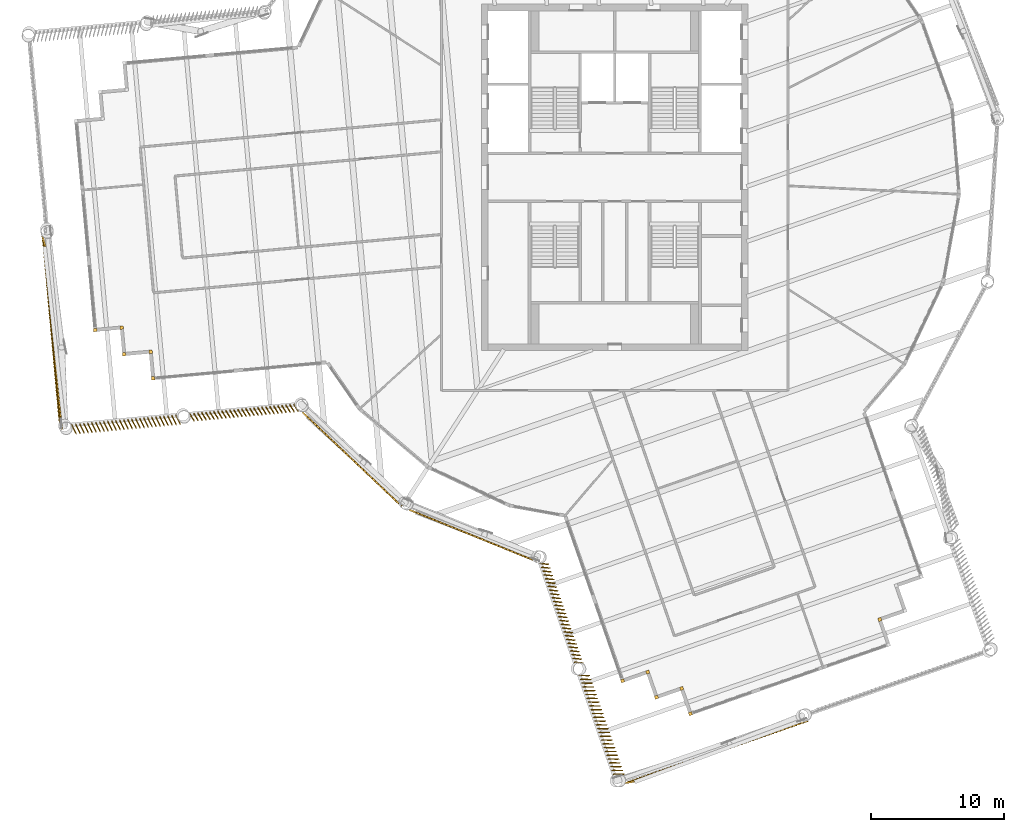
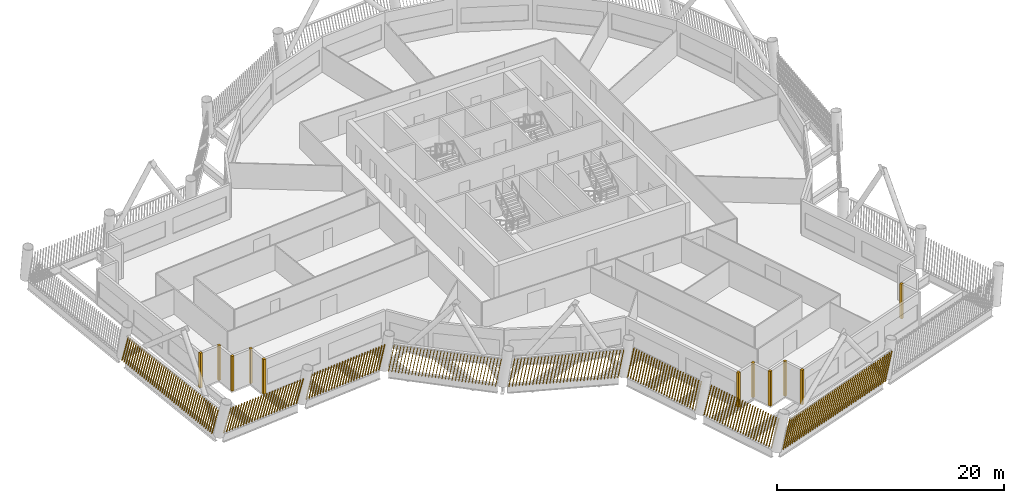
# One storey, part 19 of 23: 19 shading devices.
"""IFC4 building model written with IfcOpenShell, lengths in metres."""

from ifc_helpers import new_model, si_unit, direction, frame, frame_2d, origin, origin_2d, place, context, subcontext, project, spatial, rectangle, composite_profile, extrude, material, type_object, element, save


model = new_model("IFC4")

# Units and contexts
model_context = context("Model", 3, precision=1e-05, world=origin(), true_north=direction((0.0, 1.0)))
body_context = subcontext(model_context, "Body", "Model", "MODEL_VIEW")
ifc_project = project(units=[si_unit("LENGTHUNIT", "METRE"), si_unit("AREAUNIT", "SQUARE_METRE"), si_unit("VOLUMEUNIT", "CUBIC_METRE"), si_unit("PLANEANGLEUNIT", "RADIAN"), si_unit("MASSUNIT", "GRAM", prefix="KILO")], contexts=[model_context])

# Site, building, storey
site_placement = place(None, origin())
site = spatial("IfcSite", under=ifc_project, at=site_placement, CompositionType="ELEMENT")
building_placement = place(site_placement, origin())
building = spatial("IfcBuilding", under=site, at=building_placement, Name="Tarsis Ring Headquarters", CompositionType="ELEMENT")
storey_placement = place(building_placement, frame((0.0, 0.0, 308.0)))
storey = spatial("IfcBuildingStorey", under=building, at=storey_placement, Name="L72", CompositionType="ELEMENT", Elevation=308.0)

# Shading devices
ifc_material = material(Name="Terracotta baguette", Category="masonry")
shading_device_type_1 = type_object("IfcShadingDeviceType", Name="Terracotta baguette screen", PredefinedType="USERDEFINED", material=ifc_material)
shading_device_1_placement = place(storey_placement, frame((-15.413818359375, -24.952880859375, 0.0), z_axis=(0.0, 0.0, 1.0), x_axis=(0.926420986883, -0.376464709557, 0.0)))
element("IfcShadingDevice", 1, at=shading_device_1_placement, inside=storey, type_object=shading_device_type_1, Name="Baguette screen L72-00", ObjectType="Terracotta baguette screen", PredefinedType="USERDEFINED", context=body_context, shape_type="SweptSolid", body=[
    extrude(composite_profile([rectangle(XDim=0.06005859375, YDim=0.1201171875, at=frame_2d((0.030029296875, 0.0))), rectangle(XDim=0.06005859375, YDim=0.1201171875, at=frame_2d((0.33349609375, 0.0))), rectangle(XDim=0.06005859375, YDim=0.1201171875, at=frame_2d((0.636962890625, 0.0))), rectangle(XDim=0.06005859375, YDim=0.1201171875, at=frame_2d((0.9404296875, 0.0))), rectangle(XDim=0.06005859375, YDim=0.1201171875, at=frame_2d((1.243896484375, 0.0))), rectangle(XDim=0.06005859375, YDim=0.1201171875, at=frame_2d((1.54736328125, 0.0))), rectangle(XDim=0.06005859375, YDim=0.1201171875, at=frame_2d((1.85107421875, 0.0))), rectangle(XDim=0.06005859375, YDim=0.1201171875, at=frame_2d((2.154541015625, 0.0))), rectangle(XDim=0.06005859375, YDim=0.1201171875, at=frame_2d((2.4580078125, 0.0))), rectangle(XDim=0.06005859375, YDim=0.1201171875, at=frame_2d((2.761474609375, 0.0))), rectangle(XDim=0.06005859375, YDim=0.1201171875, at=frame_2d((3.06494140625, 0.0))), rectangle(XDim=0.06005859375, YDim=0.1201171875, at=frame_2d((3.368408203125, 0.0))), rectangle(XDim=0.06005859375, YDim=0.1201171875, at=frame_2d((3.671875, 0.0))), rectangle(XDim=0.06005859375, YDim=0.1201171875, at=frame_2d((3.975341796875, 0.0))), rectangle(XDim=0.06005859375, YDim=0.1201171875, at=frame_2d((4.27880859375, 0.0))), rectangle(XDim=0.06005859375, YDim=0.1201171875, at=frame_2d((4.582275390625, 0.0))), rectangle(XDim=0.06005859375, YDim=0.1201171875, at=frame_2d((4.8857421875, 0.0))), rectangle(XDim=0.06005859375, YDim=0.1201171875, at=frame_2d((5.189453125, 0.0))), rectangle(XDim=0.06005859375, YDim=0.1201171875, at=frame_2d((5.492919921875, 0.0))), rectangle(XDim=0.06005859375, YDim=0.1201171875, at=frame_2d((5.79638671875, 0.0))), rectangle(XDim=0.06005859375, YDim=0.1201171875, at=frame_2d((6.099853515625, 0.0))), rectangle(XDim=0.06005859375, YDim=0.1201171875, at=frame_2d((6.4033203125, 0.0))), rectangle(XDim=0.06005859375, YDim=0.1201171875, at=frame_2d((6.706787109375, 0.0))), rectangle(XDim=0.06005859375, YDim=0.1201171875, at=frame_2d((7.01025390625, 0.0))), rectangle(XDim=0.06005859375, YDim=0.1201171875, at=frame_2d((7.313720703125, 0.0))), rectangle(XDim=0.06005859375, YDim=0.1201171875, at=frame_2d((7.6171875, 0.0))), rectangle(XDim=0.06005859375, YDim=0.1201171875, at=frame_2d((7.920654296875, 0.0))), rectangle(XDim=0.06005859375, YDim=0.1201171875, at=frame_2d((8.224365234375, 0.0))), rectangle(XDim=0.06005859375, YDim=0.1201171875, at=frame_2d((8.52783203125, 0.0))), rectangle(XDim=0.06005859375, YDim=0.1201171875, at=frame_2d((8.831298828125, 0.0))), rectangle(XDim=0.06005859375, YDim=0.1201171875, at=frame_2d((9.134765625, 0.0))), rectangle(XDim=0.06005859375, YDim=0.1201171875, at=frame_2d((9.438232421875, 0.0))), rectangle(XDim=0.06005859375, YDim=0.1201171875, at=frame_2d((9.74169921875, 0.0)))]), origin(), (0.174164288103, 0.001580922535, 0.984715340306), 3.013916015625),
])
shading_device_2_placement = place(storey_placement, frame((-5.592041015625, -28.944580078125, 0.0), z_axis=(0.0, 0.0, 1.0), x_axis=(0.328853461859, -0.944387802391, 0.0)))
element("IfcShadingDevice", 2, at=shading_device_2_placement, inside=storey, type_object=shading_device_type_1, Name="Baguette screen L72-01", ObjectType="Terracotta baguette screen", PredefinedType="USERDEFINED", context=body_context, shape_type="SweptSolid", body=[
    extrude(composite_profile([rectangle(XDim=0.06005859375, YDim=0.1201171875, at=frame_2d((0.030029296875, 0.0))), rectangle(XDim=0.06005859375, YDim=0.1201171875, at=frame_2d((0.33154296875, 0.0))), rectangle(XDim=0.06005859375, YDim=0.1201171875, at=frame_2d((0.63330078125, 0.0))), rectangle(XDim=0.06005859375, YDim=0.1201171875, at=frame_2d((0.934814453125, 0.0))), rectangle(XDim=0.06005859375, YDim=0.1201171875, at=frame_2d((1.236572265625, 0.0))), rectangle(XDim=0.06005859375, YDim=0.1201171875, at=frame_2d((1.5380859375, 0.0))), rectangle(XDim=0.06005859375, YDim=0.1201171875, at=frame_2d((1.83984375, 0.0))), rectangle(XDim=0.06005859375, YDim=0.1201171875, at=frame_2d((2.141357421875, 0.0))), rectangle(XDim=0.06005859375, YDim=0.1201171875, at=frame_2d((2.443115234375, 0.0))), rectangle(XDim=0.06005859375, YDim=0.1201171875, at=frame_2d((2.74462890625, 0.0))), rectangle(XDim=0.06005859375, YDim=0.1201171875, at=frame_2d((3.04638671875, 0.0))), rectangle(XDim=0.06005859375, YDim=0.1201171875, at=frame_2d((3.347900390625, 0.0))), rectangle(XDim=0.06005859375, YDim=0.1201171875, at=frame_2d((3.649658203125, 0.0))), rectangle(XDim=0.06005859375, YDim=0.1201171875, at=frame_2d((3.951171875, 0.0))), rectangle(XDim=0.06005859375, YDim=0.1201171875, at=frame_2d((4.252685546875, 0.0))), rectangle(XDim=0.06005859375, YDim=0.1201171875, at=frame_2d((4.554443359375, 0.0))), rectangle(XDim=0.06005859375, YDim=0.1201171875, at=frame_2d((4.85595703125, 0.0))), rectangle(XDim=0.06005859375, YDim=0.1201171875, at=frame_2d((5.15771484375, 0.0))), rectangle(XDim=0.06005859375, YDim=0.1201171875, at=frame_2d((5.459228515625, 0.0))), rectangle(XDim=0.06005859375, YDim=0.1201171875, at=frame_2d((5.760986328125, 0.0))), rectangle(XDim=0.06005859375, YDim=0.1201171875, at=frame_2d((6.0625, 0.0))), rectangle(XDim=0.06005859375, YDim=0.1201171875, at=frame_2d((6.3642578125, 0.0))), rectangle(XDim=0.06005859375, YDim=0.1201171875, at=frame_2d((6.665771484375, 0.0))), rectangle(XDim=0.06005859375, YDim=0.1201171875, at=frame_2d((6.967529296875, 0.0))), rectangle(XDim=0.06005859375, YDim=0.1201171875, at=frame_2d((7.26904296875, 0.0))), rectangle(XDim=0.06005859375, YDim=0.1201171875, at=frame_2d((7.57080078125, 0.0))), rectangle(XDim=0.06005859375, YDim=0.1201171875, at=frame_2d((7.872314453125, 0.0)))]), origin(), (0.087125487358, 0.177348271123, 0.980284009959), 3.02734375),
])
shading_device_3_placement = place(storey_placement, frame((-2.66455078125, -37.3515625, 0.0), z_axis=(0.0, 0.0, 1.0), x_axis=(0.328874196738, -0.944389520514, 0.0)))
element("IfcShadingDevice", 3, at=shading_device_3_placement, inside=storey, type_object=shading_device_type_1, Name="Baguette screen L72-02", ObjectType="Terracotta baguette screen", PredefinedType="USERDEFINED", context=body_context, shape_type="SweptSolid", body=[
    extrude(composite_profile([rectangle(XDim=0.06005859375, YDim=0.1201171875, at=frame_2d((0.030029296875, 0.0))), rectangle(XDim=0.06005859375, YDim=0.1201171875, at=frame_2d((0.33154296875, 0.0))), rectangle(XDim=0.06005859375, YDim=0.1201171875, at=frame_2d((0.63330078125, 0.0))), rectangle(XDim=0.06005859375, YDim=0.1201171875, at=frame_2d((0.934814453125, 0.0))), rectangle(XDim=0.06005859375, YDim=0.1201171875, at=frame_2d((1.236572265625, 0.0))), rectangle(XDim=0.06005859375, YDim=0.1201171875, at=frame_2d((1.5380859375, 0.0))), rectangle(XDim=0.06005859375, YDim=0.1201171875, at=frame_2d((1.83984375, 0.0))), rectangle(XDim=0.06005859375, YDim=0.1201171875, at=frame_2d((2.141357421875, 0.0))), rectangle(XDim=0.06005859375, YDim=0.1201171875, at=frame_2d((2.443115234375, 0.0))), rectangle(XDim=0.06005859375, YDim=0.1201171875, at=frame_2d((2.74462890625, 0.0))), rectangle(XDim=0.06005859375, YDim=0.1201171875, at=frame_2d((3.04638671875, 0.0))), rectangle(XDim=0.06005859375, YDim=0.1201171875, at=frame_2d((3.347900390625, 0.0))), rectangle(XDim=0.06005859375, YDim=0.1201171875, at=frame_2d((3.649658203125, 0.0))), rectangle(XDim=0.06005859375, YDim=0.1201171875, at=frame_2d((3.951171875, 0.0))), rectangle(XDim=0.06005859375, YDim=0.1201171875, at=frame_2d((4.252685546875, 0.0))), rectangle(XDim=0.06005859375, YDim=0.1201171875, at=frame_2d((4.554443359375, 0.0))), rectangle(XDim=0.06005859375, YDim=0.1201171875, at=frame_2d((4.85595703125, 0.0))), rectangle(XDim=0.06005859375, YDim=0.1201171875, at=frame_2d((5.15771484375, 0.0))), rectangle(XDim=0.06005859375, YDim=0.1201171875, at=frame_2d((5.459228515625, 0.0))), rectangle(XDim=0.06005859375, YDim=0.1201171875, at=frame_2d((5.760986328125, 0.0))), rectangle(XDim=0.06005859375, YDim=0.1201171875, at=frame_2d((6.0625, 0.0))), rectangle(XDim=0.06005859375, YDim=0.1201171875, at=frame_2d((6.3642578125, 0.0))), rectangle(XDim=0.06005859375, YDim=0.1201171875, at=frame_2d((6.665771484375, 0.0))), rectangle(XDim=0.06005859375, YDim=0.1201171875, at=frame_2d((6.967529296875, 0.0))), rectangle(XDim=0.06005859375, YDim=0.1201171875, at=frame_2d((7.26904296875, 0.0))), rectangle(XDim=0.06005859375, YDim=0.1201171875, at=frame_2d((7.57080078125, 0.0))), rectangle(XDim=0.06005859375, YDim=0.1201171875, at=frame_2d((7.872314453125, 0.0)))]), origin(), (0.085720079965, 0.228257258424, 0.969819927547), 3.06005859375),
])
shading_device_4_placement = place(storey_placement, frame((0.6943359375, -45.476318359375, 0.0), z_axis=(0.0, 0.0, 1.0), x_axis=(0.944377609511, 0.328869152926, 0.0)))
element("IfcShadingDevice", 4, at=shading_device_4_placement, inside=storey, type_object=shading_device_type_1, Name="Baguette screen L72-03", ObjectType="Terracotta baguette screen", PredefinedType="USERDEFINED", context=body_context, shape_type="SweptSolid", body=[
    extrude(composite_profile([rectangle(XDim=0.06005859375, YDim=0.1201171875, at=frame_2d((0.030029296875, 0.0))), rectangle(XDim=0.06005859375, YDim=0.1201171875, at=frame_2d((0.33544921875, 0.0))), rectangle(XDim=0.06005859375, YDim=0.1201171875, at=frame_2d((0.640625, 0.0))), rectangle(XDim=0.06005859375, YDim=0.1201171875, at=frame_2d((0.946044921875, 0.0))), rectangle(XDim=0.06005859375, YDim=0.1201171875, at=frame_2d((1.25146484375, 0.0))), rectangle(XDim=0.06005859375, YDim=0.1201171875, at=frame_2d((1.556640625, 0.0))), rectangle(XDim=0.06005859375, YDim=0.1201171875, at=frame_2d((1.862060546875, 0.0))), rectangle(XDim=0.06005859375, YDim=0.1201171875, at=frame_2d((2.16748046875, 0.0))), rectangle(XDim=0.06005859375, YDim=0.1201171875, at=frame_2d((2.47265625, 0.0))), rectangle(XDim=0.06005859375, YDim=0.1201171875, at=frame_2d((2.778076171875, 0.0))), rectangle(XDim=0.06005859375, YDim=0.1201171875, at=frame_2d((3.08349609375, 0.0))), rectangle(XDim=0.06005859375, YDim=0.1201171875, at=frame_2d((3.388671875, 0.0))), rectangle(XDim=0.06005859375, YDim=0.1201171875, at=frame_2d((3.694091796875, 0.0))), rectangle(XDim=0.06005859375, YDim=0.1201171875, at=frame_2d((3.99951171875, 0.0))), rectangle(XDim=0.06005859375, YDim=0.1201171875, at=frame_2d((4.3046875, 0.0))), rectangle(XDim=0.06005859375, YDim=0.1201171875, at=frame_2d((4.610107421875, 0.0))), rectangle(XDim=0.06005859375, YDim=0.1201171875, at=frame_2d((4.91552734375, 0.0))), rectangle(XDim=0.06005859375, YDim=0.1201171875, at=frame_2d((5.220703125, 0.0))), rectangle(XDim=0.06005859375, YDim=0.1201171875, at=frame_2d((5.526123046875, 0.0))), rectangle(XDim=0.06005859375, YDim=0.1201171875, at=frame_2d((5.83154296875, 0.0))), rectangle(XDim=0.06005859375, YDim=0.1201171875, at=frame_2d((6.13671875, 0.0))), rectangle(XDim=0.06005859375, YDim=0.1201171875, at=frame_2d((6.442138671875, 0.0))), rectangle(XDim=0.06005859375, YDim=0.1201171875, at=frame_2d((6.74755859375, 0.0))), rectangle(XDim=0.06005859375, YDim=0.1201171875, at=frame_2d((7.052734375, 0.0))), rectangle(XDim=0.06005859375, YDim=0.1201171875, at=frame_2d((7.358154296875, 0.0))), rectangle(XDim=0.06005859375, YDim=0.1201171875, at=frame_2d((7.66357421875, 0.0))), rectangle(XDim=0.06005859375, YDim=0.1201171875, at=frame_2d((7.96875, 0.0))), rectangle(XDim=0.06005859375, YDim=0.1201171875, at=frame_2d((8.274169921875, 0.0))), rectangle(XDim=0.06005859375, YDim=0.1201171875, at=frame_2d((8.57958984375, 0.0))), rectangle(XDim=0.06005859375, YDim=0.1201171875, at=frame_2d((8.884765625, 0.0))), rectangle(XDim=0.06005859375, YDim=0.1201171875, at=frame_2d((9.190185546875, 0.0))), rectangle(XDim=0.06005859375, YDim=0.1201171875, at=frame_2d((9.49560546875, 0.0))), rectangle(XDim=0.06005859375, YDim=0.1201171875, at=frame_2d((9.80078125, 0.0))), rectangle(XDim=0.06005859375, YDim=0.1201171875, at=frame_2d((10.106201171875, 0.0))), rectangle(XDim=0.06005859375, YDim=0.1201171875, at=frame_2d((10.41162109375, 0.0))), rectangle(XDim=0.06005859375, YDim=0.1201171875, at=frame_2d((10.716796875, 0.0))), rectangle(XDim=0.06005859375, YDim=0.1201171875, at=frame_2d((11.022216796875, 0.0))), rectangle(XDim=0.06005859375, YDim=0.1201171875, at=frame_2d((11.32763671875, 0.0))), rectangle(XDim=0.06005859375, YDim=0.1201171875, at=frame_2d((11.6328125, 0.0))), rectangle(XDim=0.06005859375, YDim=0.1201171875, at=frame_2d((11.938232421875, 0.0))), rectangle(XDim=0.06005859375, YDim=0.1201171875, at=frame_2d((12.24365234375, 0.0))), rectangle(XDim=0.06005859375, YDim=0.1201171875, at=frame_2d((12.548828125, 0.0))), rectangle(XDim=0.06005859375, YDim=0.1201171875, at=frame_2d((12.854248046875, 0.0))), rectangle(XDim=0.06005859375, YDim=0.1201171875, at=frame_2d((13.15966796875, 0.0))), rectangle(XDim=0.06005859375, YDim=0.1201171875, at=frame_2d((13.46484375, 0.0))), rectangle(XDim=0.06005859375, YDim=0.1201171875, at=frame_2d((13.770263671875, 0.0)))]), origin(), (0.255453567142, -0.041401232982, 0.965934476526), 3.072509765625),
])
shading_device_5_placement = place(storey_placement, frame((-42.951904296875, -4.410888671875, 0.0), z_axis=(0.0, 0.0, 1.0), x_axis=(0.090630860135, -0.995878003043, 0.0)))
element("IfcShadingDevice", 5, at=shading_device_5_placement, inside=storey, type_object=shading_device_type_1, Name="Baguette screen L72-18", ObjectType="Terracotta baguette screen", PredefinedType="USERDEFINED", context=body_context, shape_type="SweptSolid", body=[
    extrude(composite_profile([rectangle(XDim=0.06005859375, YDim=0.1201171875, at=frame_2d((0.030029296875, 0.0))), rectangle(XDim=0.06005859375, YDim=0.1201171875, at=frame_2d((0.33544921875, 0.0))), rectangle(XDim=0.06005859375, YDim=0.1201171875, at=frame_2d((0.640625, 0.0))), rectangle(XDim=0.06005859375, YDim=0.1201171875, at=frame_2d((0.946044921875, 0.0))), rectangle(XDim=0.06005859375, YDim=0.1201171875, at=frame_2d((1.25146484375, 0.0))), rectangle(XDim=0.06005859375, YDim=0.1201171875, at=frame_2d((1.556640625, 0.0))), rectangle(XDim=0.06005859375, YDim=0.1201171875, at=frame_2d((1.862060546875, 0.0))), rectangle(XDim=0.06005859375, YDim=0.1201171875, at=frame_2d((2.16748046875, 0.0))), rectangle(XDim=0.06005859375, YDim=0.1201171875, at=frame_2d((2.47265625, 0.0))), rectangle(XDim=0.06005859375, YDim=0.1201171875, at=frame_2d((2.778076171875, 0.0))), rectangle(XDim=0.06005859375, YDim=0.1201171875, at=frame_2d((3.08349609375, 0.0))), rectangle(XDim=0.06005859375, YDim=0.1201171875, at=frame_2d((3.388671875, 0.0))), rectangle(XDim=0.06005859375, YDim=0.1201171875, at=frame_2d((3.694091796875, 0.0))), rectangle(XDim=0.06005859375, YDim=0.1201171875, at=frame_2d((3.99951171875, 0.0))), rectangle(XDim=0.06005859375, YDim=0.1201171875, at=frame_2d((4.3046875, 0.0))), rectangle(XDim=0.06005859375, YDim=0.1201171875, at=frame_2d((4.610107421875, 0.0))), rectangle(XDim=0.06005859375, YDim=0.1201171875, at=frame_2d((4.91552734375, 0.0))), rectangle(XDim=0.06005859375, YDim=0.1201171875, at=frame_2d((5.220703125, 0.0))), rectangle(XDim=0.06005859375, YDim=0.1201171875, at=frame_2d((5.526123046875, 0.0))), rectangle(XDim=0.06005859375, YDim=0.1201171875, at=frame_2d((5.83154296875, 0.0))), rectangle(XDim=0.06005859375, YDim=0.1201171875, at=frame_2d((6.13671875, 0.0))), rectangle(XDim=0.06005859375, YDim=0.1201171875, at=frame_2d((6.442138671875, 0.0))), rectangle(XDim=0.06005859375, YDim=0.1201171875, at=frame_2d((6.74755859375, 0.0))), rectangle(XDim=0.06005859375, YDim=0.1201171875, at=frame_2d((7.052734375, 0.0))), rectangle(XDim=0.06005859375, YDim=0.1201171875, at=frame_2d((7.358154296875, 0.0))), rectangle(XDim=0.06005859375, YDim=0.1201171875, at=frame_2d((7.66357421875, 0.0))), rectangle(XDim=0.06005859375, YDim=0.1201171875, at=frame_2d((7.96875, 0.0))), rectangle(XDim=0.06005859375, YDim=0.1201171875, at=frame_2d((8.274169921875, 0.0))), rectangle(XDim=0.06005859375, YDim=0.1201171875, at=frame_2d((8.57958984375, 0.0))), rectangle(XDim=0.06005859375, YDim=0.1201171875, at=frame_2d((8.884765625, 0.0))), rectangle(XDim=0.06005859375, YDim=0.1201171875, at=frame_2d((9.190185546875, 0.0))), rectangle(XDim=0.06005859375, YDim=0.1201171875, at=frame_2d((9.49560546875, 0.0))), rectangle(XDim=0.06005859375, YDim=0.1201171875, at=frame_2d((9.80078125, 0.0))), rectangle(XDim=0.06005859375, YDim=0.1201171875, at=frame_2d((10.106201171875, 0.0))), rectangle(XDim=0.06005859375, YDim=0.1201171875, at=frame_2d((10.41162109375, 0.0))), rectangle(XDim=0.06005859375, YDim=0.1201171875, at=frame_2d((10.716796875, 0.0))), rectangle(XDim=0.06005859375, YDim=0.1201171875, at=frame_2d((11.022216796875, 0.0))), rectangle(XDim=0.06005859375, YDim=0.1201171875, at=frame_2d((11.32763671875, 0.0))), rectangle(XDim=0.06005859375, YDim=0.1201171875, at=frame_2d((11.6328125, 0.0))), rectangle(XDim=0.06005859375, YDim=0.1201171875, at=frame_2d((11.938232421875, 0.0))), rectangle(XDim=0.06005859375, YDim=0.1201171875, at=frame_2d((12.24365234375, 0.0))), rectangle(XDim=0.06005859375, YDim=0.1201171875, at=frame_2d((12.548828125, 0.0))), rectangle(XDim=0.06005859375, YDim=0.1201171875, at=frame_2d((12.854248046875, 0.0))), rectangle(XDim=0.06005859375, YDim=0.1201171875, at=frame_2d((13.15966796875, 0.0))), rectangle(XDim=0.06005859375, YDim=0.1201171875, at=frame_2d((13.46484375, 0.0))), rectangle(XDim=0.06005859375, YDim=0.1201171875, at=frame_2d((13.770263671875, 0.0)))]), origin(), (0.254658091781, 0.046030491134, 0.965935013433), 3.072509765625),
])
shading_device_6_placement = place(storey_placement, frame((-40.78466796875, -18.57275390625, 0.0), z_axis=(0.0, 0.0, 1.0), x_axis=(0.99589100346, 0.090614186851, 0.0)))
element("IfcShadingDevice", 6, at=shading_device_6_placement, inside=storey, type_object=shading_device_type_1, Name="Baguette screen L72-19", ObjectType="Terracotta baguette screen", PredefinedType="USERDEFINED", context=body_context, shape_type="SweptSolid", body=[
    extrude(composite_profile([rectangle(XDim=0.06005859375, YDim=0.1201171875, at=frame_2d((0.030029296875, 0.0))), rectangle(XDim=0.06005859375, YDim=0.1201171875, at=frame_2d((0.33154296875, 0.0))), rectangle(XDim=0.06005859375, YDim=0.1201171875, at=frame_2d((0.63330078125, 0.0))), rectangle(XDim=0.06005859375, YDim=0.1201171875, at=frame_2d((0.934814453125, 0.0))), rectangle(XDim=0.06005859375, YDim=0.1201171875, at=frame_2d((1.236572265625, 0.0))), rectangle(XDim=0.06005859375, YDim=0.1201171875, at=frame_2d((1.5380859375, 0.0))), rectangle(XDim=0.06005859375, YDim=0.1201171875, at=frame_2d((1.83984375, 0.0))), rectangle(XDim=0.06005859375, YDim=0.1201171875, at=frame_2d((2.141357421875, 0.0))), rectangle(XDim=0.06005859375, YDim=0.1201171875, at=frame_2d((2.443115234375, 0.0))), rectangle(XDim=0.06005859375, YDim=0.1201171875, at=frame_2d((2.74462890625, 0.0))), rectangle(XDim=0.06005859375, YDim=0.1201171875, at=frame_2d((3.04638671875, 0.0))), rectangle(XDim=0.06005859375, YDim=0.1201171875, at=frame_2d((3.347900390625, 0.0))), rectangle(XDim=0.06005859375, YDim=0.1201171875, at=frame_2d((3.649658203125, 0.0))), rectangle(XDim=0.06005859375, YDim=0.1201171875, at=frame_2d((3.951171875, 0.0))), rectangle(XDim=0.06005859375, YDim=0.1201171875, at=frame_2d((4.252685546875, 0.0))), rectangle(XDim=0.06005859375, YDim=0.1201171875, at=frame_2d((4.554443359375, 0.0))), rectangle(XDim=0.06005859375, YDim=0.1201171875, at=frame_2d((4.85595703125, 0.0))), rectangle(XDim=0.06005859375, YDim=0.1201171875, at=frame_2d((5.15771484375, 0.0))), rectangle(XDim=0.06005859375, YDim=0.1201171875, at=frame_2d((5.459228515625, 0.0))), rectangle(XDim=0.06005859375, YDim=0.1201171875, at=frame_2d((5.760986328125, 0.0))), rectangle(XDim=0.06005859375, YDim=0.1201171875, at=frame_2d((6.0625, 0.0))), rectangle(XDim=0.06005859375, YDim=0.1201171875, at=frame_2d((6.3642578125, 0.0))), rectangle(XDim=0.06005859375, YDim=0.1201171875, at=frame_2d((6.665771484375, 0.0))), rectangle(XDim=0.06005859375, YDim=0.1201171875, at=frame_2d((6.967529296875, 0.0))), rectangle(XDim=0.06005859375, YDim=0.1201171875, at=frame_2d((7.26904296875, 0.0))), rectangle(XDim=0.06005859375, YDim=0.1201171875, at=frame_2d((7.57080078125, 0.0))), rectangle(XDim=0.06005859375, YDim=0.1201171875, at=frame_2d((7.872314453125, 0.0)))]), origin(), (0.08985230383, -0.226659850796, 0.969820537797), 3.06005859375),
])
shading_device_7_placement = place(storey_placement, frame((-31.9189453125, -17.76611328125, 0.0), z_axis=(0.0, 0.0, 1.0), x_axis=(0.99589087651, 0.090647882102, 0.0)))
element("IfcShadingDevice", 7, at=shading_device_7_placement, inside=storey, type_object=shading_device_type_1, Name="Baguette screen L72-20", ObjectType="Terracotta baguette screen", PredefinedType="USERDEFINED", context=body_context, shape_type="SweptSolid", body=[
    extrude(composite_profile([rectangle(XDim=0.06005859375, YDim=0.1201171875, at=frame_2d((0.030029296875, 0.0))), rectangle(XDim=0.06005859375, YDim=0.1201171875, at=frame_2d((0.33154296875, 0.0))), rectangle(XDim=0.06005859375, YDim=0.1201171875, at=frame_2d((0.63330078125, 0.0))), rectangle(XDim=0.06005859375, YDim=0.1201171875, at=frame_2d((0.934814453125, 0.0))), rectangle(XDim=0.06005859375, YDim=0.1201171875, at=frame_2d((1.236572265625, 0.0))), rectangle(XDim=0.06005859375, YDim=0.1201171875, at=frame_2d((1.5380859375, 0.0))), rectangle(XDim=0.06005859375, YDim=0.1201171875, at=frame_2d((1.83984375, 0.0))), rectangle(XDim=0.06005859375, YDim=0.1201171875, at=frame_2d((2.141357421875, 0.0))), rectangle(XDim=0.06005859375, YDim=0.1201171875, at=frame_2d((2.443115234375, 0.0))), rectangle(XDim=0.06005859375, YDim=0.1201171875, at=frame_2d((2.74462890625, 0.0))), rectangle(XDim=0.06005859375, YDim=0.1201171875, at=frame_2d((3.04638671875, 0.0))), rectangle(XDim=0.06005859375, YDim=0.1201171875, at=frame_2d((3.347900390625, 0.0))), rectangle(XDim=0.06005859375, YDim=0.1201171875, at=frame_2d((3.649658203125, 0.0))), rectangle(XDim=0.06005859375, YDim=0.1201171875, at=frame_2d((3.951171875, 0.0))), rectangle(XDim=0.06005859375, YDim=0.1201171875, at=frame_2d((4.252685546875, 0.0))), rectangle(XDim=0.06005859375, YDim=0.1201171875, at=frame_2d((4.554443359375, 0.0))), rectangle(XDim=0.06005859375, YDim=0.1201171875, at=frame_2d((4.85595703125, 0.0))), rectangle(XDim=0.06005859375, YDim=0.1201171875, at=frame_2d((5.15771484375, 0.0))), rectangle(XDim=0.06005859375, YDim=0.1201171875, at=frame_2d((5.459228515625, 0.0))), rectangle(XDim=0.06005859375, YDim=0.1201171875, at=frame_2d((5.760986328125, 0.0))), rectangle(XDim=0.06005859375, YDim=0.1201171875, at=frame_2d((6.0625, 0.0))), rectangle(XDim=0.06005859375, YDim=0.1201171875, at=frame_2d((6.3642578125, 0.0))), rectangle(XDim=0.06005859375, YDim=0.1201171875, at=frame_2d((6.665771484375, 0.0))), rectangle(XDim=0.06005859375, YDim=0.1201171875, at=frame_2d((6.967529296875, 0.0))), rectangle(XDim=0.06005859375, YDim=0.1201171875, at=frame_2d((7.26904296875, 0.0))), rectangle(XDim=0.06005859375, YDim=0.1201171875, at=frame_2d((7.57080078125, 0.0))), rectangle(XDim=0.06005859375, YDim=0.1201171875, at=frame_2d((7.872314453125, 0.0)))]), origin(), (0.09033024646, -0.175737819975, 0.980283971717), 3.02734375),
])
shading_device_8_placement = place(storey_placement, frame((-23.446533203125, -17.62060546875, 0.0), z_axis=(0.0, 0.0, 1.0), x_axis=(0.725546533417, -0.688169893816, 0.0)))
element("IfcShadingDevice", 8, at=shading_device_8_placement, inside=storey, type_object=shading_device_type_1, Name="Baguette screen L72-21", ObjectType="Terracotta baguette screen", PredefinedType="USERDEFINED", context=body_context, shape_type="SweptSolid", body=[
    extrude(composite_profile([rectangle(XDim=0.06005859375, YDim=0.1201171875, at=frame_2d((0.030029296875, 0.0))), rectangle(XDim=0.06005859375, YDim=0.1201171875, at=frame_2d((0.33349609375, 0.0))), rectangle(XDim=0.06005859375, YDim=0.1201171875, at=frame_2d((0.636962890625, 0.0))), rectangle(XDim=0.06005859375, YDim=0.1201171875, at=frame_2d((0.9404296875, 0.0))), rectangle(XDim=0.06005859375, YDim=0.1201171875, at=frame_2d((1.243896484375, 0.0))), rectangle(XDim=0.06005859375, YDim=0.1201171875, at=frame_2d((1.54736328125, 0.0))), rectangle(XDim=0.06005859375, YDim=0.1201171875, at=frame_2d((1.85107421875, 0.0))), rectangle(XDim=0.06005859375, YDim=0.1201171875, at=frame_2d((2.154541015625, 0.0))), rectangle(XDim=0.06005859375, YDim=0.1201171875, at=frame_2d((2.4580078125, 0.0))), rectangle(XDim=0.06005859375, YDim=0.1201171875, at=frame_2d((2.761474609375, 0.0))), rectangle(XDim=0.06005859375, YDim=0.1201171875, at=frame_2d((3.06494140625, 0.0))), rectangle(XDim=0.06005859375, YDim=0.1201171875, at=frame_2d((3.368408203125, 0.0))), rectangle(XDim=0.06005859375, YDim=0.1201171875, at=frame_2d((3.671875, 0.0))), rectangle(XDim=0.06005859375, YDim=0.1201171875, at=frame_2d((3.975341796875, 0.0))), rectangle(XDim=0.06005859375, YDim=0.1201171875, at=frame_2d((4.27880859375, 0.0))), rectangle(XDim=0.06005859375, YDim=0.1201171875, at=frame_2d((4.582275390625, 0.0))), rectangle(XDim=0.06005859375, YDim=0.1201171875, at=frame_2d((4.8857421875, 0.0))), rectangle(XDim=0.06005859375, YDim=0.1201171875, at=frame_2d((5.189453125, 0.0))), rectangle(XDim=0.06005859375, YDim=0.1201171875, at=frame_2d((5.492919921875, 0.0))), rectangle(XDim=0.06005859375, YDim=0.1201171875, at=frame_2d((5.79638671875, 0.0))), rectangle(XDim=0.06005859375, YDim=0.1201171875, at=frame_2d((6.099853515625, 0.0))), rectangle(XDim=0.06005859375, YDim=0.1201171875, at=frame_2d((6.4033203125, 0.0))), rectangle(XDim=0.06005859375, YDim=0.1201171875, at=frame_2d((6.706787109375, 0.0))), rectangle(XDim=0.06005859375, YDim=0.1201171875, at=frame_2d((7.01025390625, 0.0))), rectangle(XDim=0.06005859375, YDim=0.1201171875, at=frame_2d((7.313720703125, 0.0))), rectangle(XDim=0.06005859375, YDim=0.1201171875, at=frame_2d((7.6171875, 0.0))), rectangle(XDim=0.06005859375, YDim=0.1201171875, at=frame_2d((7.920654296875, 0.0))), rectangle(XDim=0.06005859375, YDim=0.1201171875, at=frame_2d((8.224365234375, 0.0))), rectangle(XDim=0.06005859375, YDim=0.1201171875, at=frame_2d((8.52783203125, 0.0))), rectangle(XDim=0.06005859375, YDim=0.1201171875, at=frame_2d((8.831298828125, 0.0))), rectangle(XDim=0.06005859375, YDim=0.1201171875, at=frame_2d((9.134765625, 0.0))), rectangle(XDim=0.06005859375, YDim=0.1201171875, at=frame_2d((9.438232421875, 0.0))), rectangle(XDim=0.06005859375, YDim=0.1201171875, at=frame_2d((9.74169921875, 0.0)))]), origin(), (0.174165153208, 0.001582285939, 0.984715185106), 3.013916015625),
])
shading_device_type_2 = type_object("IfcShadingDeviceType", Name="Terracotta corner baguette 250x250", PredefinedType="USERDEFINED", material=ifc_material)
for number, where, z_axis, x_axis, name in (
    (9, (-34.651123046875, -15.07763671875, 0.0), (0.0, 0.0, 1.0), (0.09063249329, -0.995884406525, 0.0), "Corner baguette L72-01"),
    (10, (0.583740234375, -37.784912109375, 0.0), (0.0, 0.0, 1.0), (0.328866646739, -0.944376370237, 0.0), "Corner baguette L72-07"),
    (11, (2.472412109375, -37.126953125, 0.0), (0.0, 0.0, 1.0), (0.944376375977, 0.328866630256, 0.0), "Corner baguette L72-08"),
    (12, (3.130126953125, -39.015869140625, 0.0), (0.0, 0.0, 1.0), (0.328866926941, -0.944376272661, 0.0), "Corner baguette L72-09"),
    (13, (5.018798828125, -38.358154296875, 0.0), (0.0, 0.0, 1.0), (0.944376272661, 0.328866926941, 0.0), "Corner baguette L72-10"),
    (14, (5.676513671875, -40.246826171875, 0.0), (0.0, 0.0, 1.0), (0.328866481914, -0.944376427636, 0.0), "Corner baguette L72-11"),
    (15, (19.892822265625, -33.178466796875, 0.0), (0.0, 0.0, 1.0), (-0.328866926941, 0.944376272661, 0.0), "Corner baguette L72-13"),
    (16, (-38.9970703125, -11.45654296875, 0.0), (0.0, 0.0, 1.0), (0.090632614961, -0.995884395452, 0.0), "Corner baguette L72-37"),
    (17, (-37.00537109375, -11.275390625, 0.0), (0.0, 0.0, 1.0), (0.995884357488, 0.090633032116, 0.0), "Corner baguette L72-38"),
    (18, (-36.82421875, -13.26708984375, 0.0), (0.0, 0.0, 1.0), (0.09063249329, -0.995884406525, 0.0), "Corner baguette L72-39"),
    (19, (-34.832275390625, -13.085693359375, 0.0), (0.0, 0.0, 1.0), (0.995884411271, 0.090632441146, 0.0), "Corner baguette L72-40"),
):
    element("IfcShadingDevice", number, at=place(storey_placement, frame(where, z_axis=z_axis, x_axis=x_axis)), inside=storey, type_object=shading_device_type_2, Name=name, ObjectType="Terracotta corner baguette", PredefinedType="USERDEFINED", context=body_context, shape_type="SweptSolid", body=[
        extrude(rectangle(XDim=0.25, YDim=0.25, at=origin_2d()), origin(), (0.0, 0.0, 1.0), 3.739990234375),
    ])

save(model, "model.ifc")
